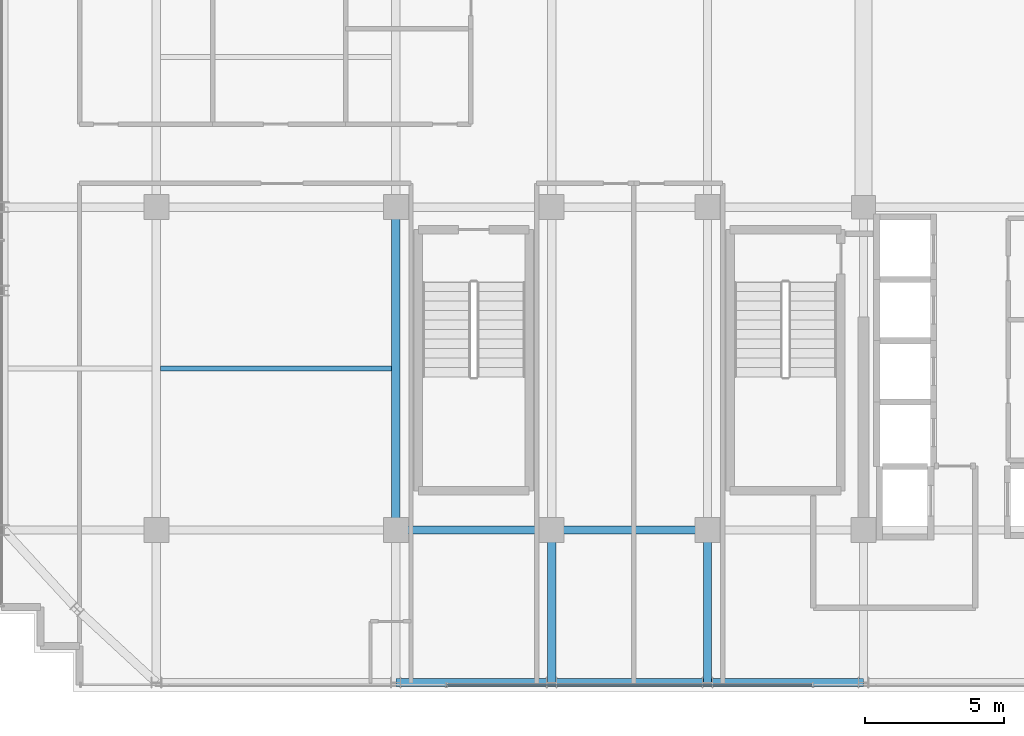
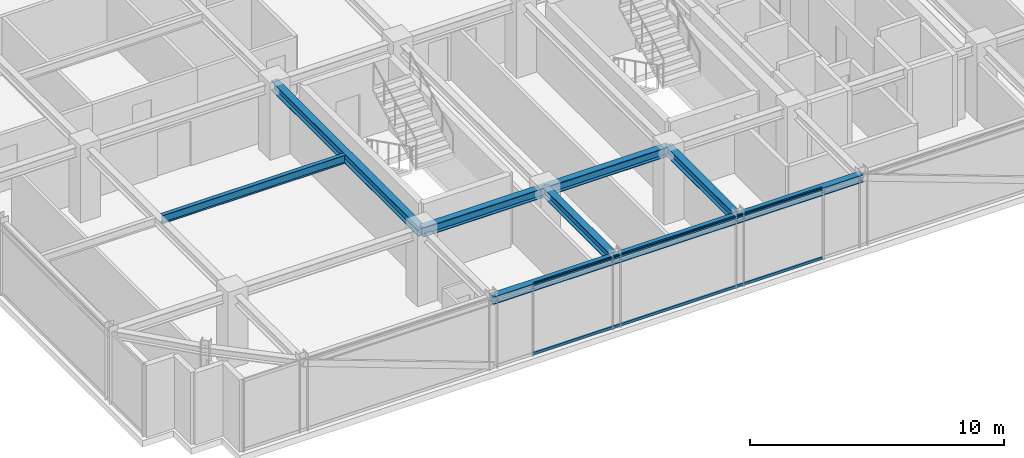
# One storey, part 7 of 31: 9 beams, 2 members, 1 element without a shape of its own.
"""IFC4 building model written with IfcOpenShell, lengths in metres."""

from ifc_helpers import new_model, si_unit, direction, frame, origin, origin_2d, place, context, subcontext, project, spatial, hollow_rectangle, i_section, extrude, source, transform, mapped, material, material_profile, profile_set, type_object, element, aggregate, save


model = new_model("IFC4")

# Units and contexts
model_context = context("Model", 3, precision=1e-05, world=origin(), true_north=direction((0.0, 1.0)))
body_context = subcontext(model_context, "Body", "Model", "MODEL_VIEW")
ifc_project = project(units=[si_unit("LENGTHUNIT", "METRE"), si_unit("AREAUNIT", "SQUARE_METRE"), si_unit("VOLUMEUNIT", "CUBIC_METRE"), si_unit("PLANEANGLEUNIT", "RADIAN"), si_unit("MASSUNIT", "GRAM", prefix="KILO")], contexts=[model_context])

# Site, building, storey
site_placement = place(None, origin())
site = spatial("IfcSite", under=ifc_project, at=site_placement, CompositionType="ELEMENT")
building_placement = place(site_placement, origin())
building = spatial("IfcBuilding", under=site, at=building_placement, Name="Nahalor Promenade Grand Hotel", CompositionType="ELEMENT")
storey_placement = place(building_placement, frame((0.0, 0.0, 281.300048828125)))
storey = spatial("IfcBuildingStorey", under=building, at=storey_placement, Name="L72", CompositionType="ELEMENT", Elevation=281.300048828125)

# Beams
ifc_material_1 = material(Name="Steel S355JR", Category="steel")
ifc_material_profile_1 = material_profile(ifc_material_1, i_section(OverallWidth=0.3, OverallDepth=0.45, WebThickness=0.014, FlangeThickness=0.026, at=origin_2d()), Name="HEB 450")
ifc_profile_set_1 = profile_set([ifc_material_profile_1], Name="Steel S355JR")
beam_type_1 = type_object("IfcBeamType", Name="Beam-Girder-HEB450", PredefinedType="BEAM", material=ifc_profile_set_1)
shared_shape_1 = source(origin(), body_context, "Body", "SweptSolid", [
    extrude(i_section(OverallWidth=0.3, OverallDepth=0.45, WebThickness=0.014, FlangeThickness=0.026, at=origin_2d()), origin(), (0.0, 0.0, 1.0), 5.599853515625),
])
beam_1_placement = place(storey_placement, frame((-8.39990234375, -17.0, 3.224853515625), z_axis=(1.0, 0.0, 0.0), x_axis=(0.0, 1.0, 0.0)))
element("IfcBeam", 1, at=beam_1_placement, inside=storey, type_object=beam_type_1, Name="BM-L72-GX-0-2", PredefinedType="BEAM", context=body_context, shape_type="MappedRepresentation", body=[
    mapped(shared_shape_1, transform((0.0, 0.0, 0.0), scale=1.0)),
])
shared_shape_2 = source(origin(), body_context, "Body", "SweptSolid", [
    extrude(i_section(OverallWidth=0.3, OverallDepth=0.45, WebThickness=0.014, FlangeThickness=0.026, at=origin_2d()), origin(), (0.0, 0.0, 1.0), 5.60009765625),
])
beam_2_placement = place(storey_placement, frame((-2.800048828125, -17.0, 3.224853515625), z_axis=(1.0, 0.0, 0.0), x_axis=(0.0, 1.0, 0.0)))
element("IfcBeam", 2, at=beam_2_placement, inside=storey, type_object=beam_type_1, Name="BM-L72-GX-0-3", PredefinedType="BEAM", context=body_context, shape_type="MappedRepresentation", body=[
    mapped(shared_shape_2, transform((0.0, 0.0, 0.0), scale=1.0)),
])
shared_shape_3 = source(origin(), body_context, "Body", "SweptSolid", [
    extrude(i_section(OverallWidth=0.3, OverallDepth=0.45, WebThickness=0.014, FlangeThickness=0.026, at=origin_2d()), origin(), (0.0, 0.0, 1.0), 11.60009765625),
])
beam_3_placement = place(storey_placement, frame((-8.39990234375, -17.0, 3.224853515625), z_axis=(0.0, 1.0, 0.0), x_axis=(-1.0, 0.0, 0.0)))
element("IfcBeam", 3, at=beam_3_placement, inside=storey, type_object=beam_type_1, Name="BM-L72-GY-1-1", PredefinedType="BEAM", context=body_context, shape_type="MappedRepresentation", body=[
    mapped(shared_shape_3, transform((0.0, 0.0, 0.0), scale=1.0)),
])
ifc_material_profile_2 = material_profile(ifc_material_1, i_section(OverallWidth=0.18, OverallDepth=0.4, WebThickness=0.0086, FlangeThickness=0.0135, at=origin_2d()), Name="IPE 400")
ifc_profile_set_2 = profile_set([ifc_material_profile_2], Name="Steel S355JR")
beam_type_2 = type_object("IfcBeamType", Name="Beam-Joist-IPE400", PredefinedType="JOIST", material=ifc_profile_set_2)
shared_shape_4 = source(origin(), body_context, "Body", "SweptSolid", [
    extrude(i_section(OverallWidth=0.18, OverallDepth=0.4, WebThickness=0.0086, FlangeThickness=0.0135, at=origin_2d()), origin(), (0.0, 0.0, 1.0), 8.300048828125),
])
beam_4_placement = place(storey_placement, frame((-16.85009765625, -11.199951171875, 3.25), z_axis=(1.0, 0.0, 0.0), x_axis=(0.0, 1.0, 0.0)))
element("IfcBeam", 4, at=beam_4_placement, inside=storey, type_object=beam_type_2, Name="BM-L72-JSW-0-1", PredefinedType="JOIST", context=body_context, shape_type="MappedRepresentation", body=[
    mapped(shared_shape_4, transform((0.0, 0.0, 0.0), scale=1.0)),
])
shared_shape_5 = source(origin(), body_context, "Body", "SweptSolid", [
    extrude(i_section(OverallWidth=0.3, OverallDepth=0.45, WebThickness=0.014, FlangeThickness=0.026, at=origin_2d()), origin(), (0.0, 0.0, 1.0), 5.47998046875),
])
for number, where, z_axis, x_axis, name in (
    (5, (-2.800048828125, -22.47998046875, 3.224853515625), (0.0, 1.0, 0.0), (-1.0, 0.0, 0.0), "BM-L72-GY-2-0"),
    (6, (2.800048828125, -22.47998046875, 3.224853515625), (0.0, 1.0, 0.0), (-1.0, 0.0, 0.0), "BM-L72-GY-3-0"),
):
    element("IfcBeam", number, at=place(storey_placement, frame(where, z_axis=z_axis, x_axis=x_axis)), inside=storey, type_object=beam_type_1, Name=name, PredefinedType="BEAM", context=body_context, shape_type="MappedRepresentation", body=[
        mapped(shared_shape_5, transform((0.0, 0.0, 0.0), scale=1.0)),
    ])
ifc_material_profile_3 = material_profile(ifc_material_1, i_section(OverallWidth=0.3, OverallDepth=0.36, WebThickness=0.0125, FlangeThickness=0.0225, at=origin_2d()), Name="HEB 360")
ifc_profile_set_3 = profile_set([ifc_material_profile_3], Name="Steel S355JR")
beam_type_3 = type_object("IfcBeamType", Name="Beam-Spandrel-HEB360", PredefinedType="SPANDREL", material=ifc_profile_set_3)
shared_shape_6 = source(origin(), body_context, "Body", "SweptSolid", [
    extrude(i_section(OverallWidth=0.3, OverallDepth=0.36, WebThickness=0.0125, FlangeThickness=0.0225, at=origin_2d()), origin(), (0.0, 0.0, 1.0), 5.599853515625),
])
for number, where, z_axis, x_axis, name in (
    (7, (-8.39990234375, -22.47998046875, 3.27001953125), (1.0, 0.0, 0.0), (0.0, 1.0, 0.0), "BM-L72-SP-S-1"),
    (8, (2.800048828125, -22.47998046875, 3.27001953125), (1.0, 0.0, 0.0), (0.0, 1.0, 0.0), "BM-L72-SP-S-3"),
):
    element("IfcBeam", number, at=place(storey_placement, frame(where, z_axis=z_axis, x_axis=x_axis)), inside=storey, type_object=beam_type_3, Name=name, PredefinedType="SPANDREL", context=body_context, shape_type="MappedRepresentation", body=[
        mapped(shared_shape_6, transform((0.0, 0.0, 0.0), scale=1.0)),
    ])
shared_shape_7 = source(origin(), body_context, "Body", "SweptSolid", [
    extrude(i_section(OverallWidth=0.3, OverallDepth=0.36, WebThickness=0.0125, FlangeThickness=0.0225, at=origin_2d()), origin(), (0.0, 0.0, 1.0), 5.60009765625),
])
beam_5_placement = place(storey_placement, frame((-2.800048828125, -22.47998046875, 3.27001953125), z_axis=(1.0, 0.0, 0.0), x_axis=(0.0, 1.0, 0.0)))
element("IfcBeam", 9, at=beam_5_placement, inside=storey, type_object=beam_type_3, Name="BM-L72-SP-S-2", PredefinedType="SPANDREL", context=body_context, shape_type="MappedRepresentation", body=[
    mapped(shared_shape_7, transform((0.0, 0.0, 0.0), scale=1.0)),
])

# Curtain wall, members
ifc_material_2 = material(Name="Anodised Bronze Aluminium EN AW-6063 T6", Category="aluminium")
curtain_wall_type = type_object("IfcCurtainWallType", Name="CW2 Typical Hotel Flush Bronze Unitised Curtain Wall", PredefinedType="USERDEFINED", material=ifc_material_2)
curtain_wall_placement = place(storey_placement, origin())
curtain_wall = element("IfcCurtainWall", 10, at=curtain_wall_placement, inside=storey, type_object=curtain_wall_type, Name="L72 Curtain Wall CW-L72-S-1", ObjectType="UNITISED_CURTAIN_WALL", PredefinedType="USERDEFINED")
ifc_material_profile_4 = material_profile(ifc_material_2, hollow_rectangle(XDim=0.065, YDim=0.13, WallThickness=0.004, at=origin_2d()), Name="CWT 65x130x4")
ifc_profile_set_4 = profile_set([ifc_material_profile_4], Name="Anodised Bronze Aluminium EN AW-6063 T6")
member_type = type_object("IfcMemberType", Name="CWT2 Typical Bronze Transom 65x130", PredefinedType="USERDEFINED", material=ifc_profile_set_4)
shared_shape_8 = source(origin(), body_context, "Body", "SweptSolid", [
    extrude(hollow_rectangle(XDim=0.065, YDim=0.13, WallThickness=0.004, at=origin_2d()), origin(), (0.0, 0.0, 1.0), 13.1083984375),
])
member_1_placement = place(storey_placement, frame((-6.55419921875, -22.56005859375, 0.06494140625), z_axis=(1.0, 0.0, 0.0), x_axis=(0.0, 1.0, 0.0)))
member_1 = element("IfcMember", 11, at=member_1_placement, type_object=member_type, Name="CW-L72-S-1 Transom 1-0", ObjectType="TRANSOM", PredefinedType="USERDEFINED", context=body_context, shape_type="MappedRepresentation", body=[
    mapped(shared_shape_8, transform((0.0, 0.0, 0.0), scale=1.0)),
])
member_2_placement = place(storey_placement, frame((-6.55419921875, -22.56005859375, 3.385009765625), z_axis=(1.0, 0.0, 0.0), x_axis=(0.0, 1.0, 0.0)))
member_2 = element("IfcMember", 12, at=member_2_placement, type_object=member_type, Name="CW-L72-S-1 Transom 1-1", ObjectType="TRANSOM", PredefinedType="USERDEFINED", context=body_context, shape_type="MappedRepresentation", body=[
    mapped(shared_shape_8, transform((0.0, 0.0, 0.0), scale=1.0)),
])
aggregate(curtain_wall, [member_1, member_2])

save(model, "model.ifc")
